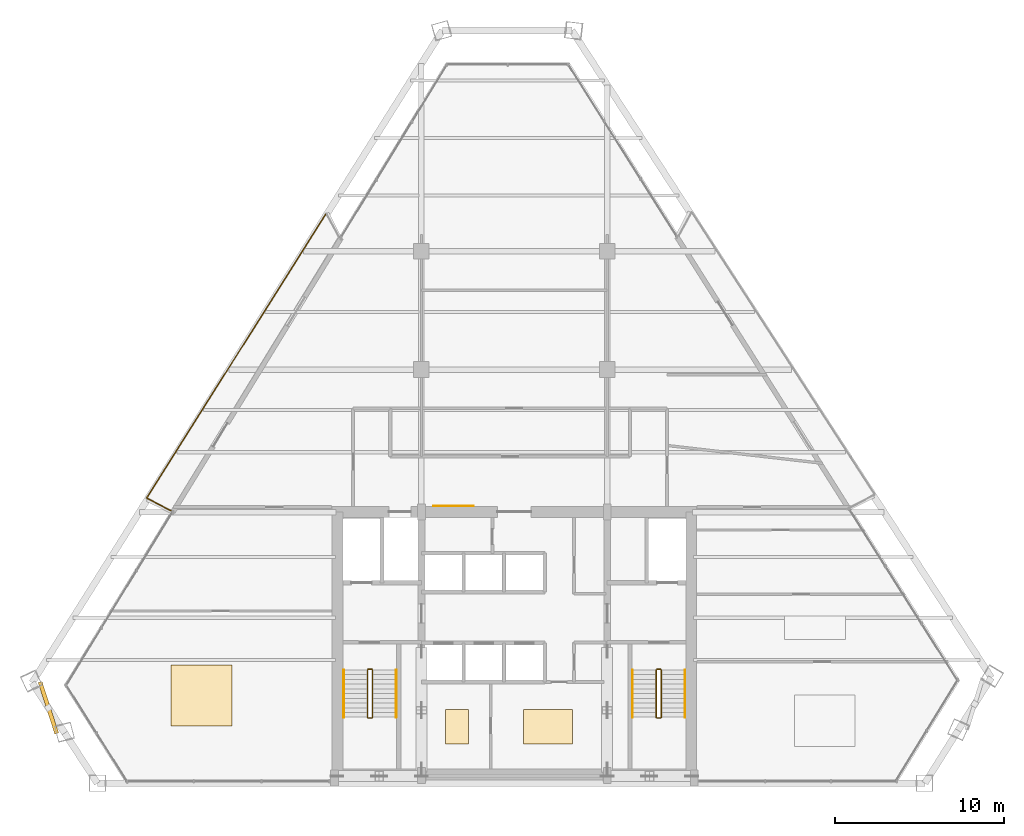
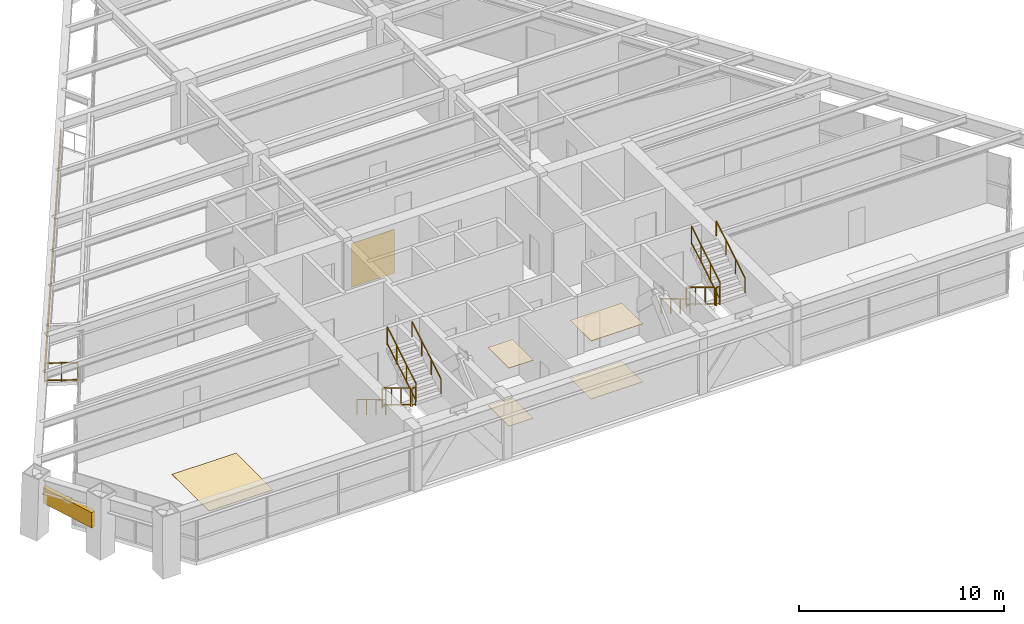
# One storey, part 14 of 15: 14 railings, 6 coverings, 1 shading device.
"""IFC4 building model written with IfcOpenShell, lengths in metres."""

import ifcopenshell
import ifcopenshell.guid

model = None  # the IFC model being written
_history = None  # IfcOwnerHistory: only IFC2X3 demands one
_inside = {}  # id of a spatial element -> (the spatial element, [elements in it])
_under = {}  # id of a project, library or spatial element -> (it, [spatial elements below it])
_declared = {}  # id of a project -> (the project, [libraries it declares])
_typed = {}  # id of a type object -> (the type object, [elements of that type])
_made_of = {}  # id of a material, layer set ... -> (it, [elements and type objects made of it])


def new_model(schema):
    """Start an empty IFC model of exactly this schema.

    Asked for "IFC4X3", IfcOpenShell would pick the latest addendum, in which some entities
    have other attributes; the version numbers below select the first issue.
    IFC2X3 requires an IfcOwnerHistory on every rooted entity: one is made here for all.
    """
    global model, _history
    if schema == "IFC4X3":
        model = ifcopenshell.file(schema_version=(4, 3, 0, 0))
    else:
        model = ifcopenshell.file(schema=schema)
    _inside.clear()
    _under.clear()
    _declared.clear()
    _typed.clear()
    _made_of.clear()
    _history = None
    if model.schema == "IFC2X3":
        org = make("IfcOrganization", Name="unknown")
        user = make(
            "IfcPersonAndOrganization",
            ThePerson=make("IfcPerson", FamilyName="unknown"),
            TheOrganization=org,
        )
        app = make(
            "IfcApplication",
            ApplicationDeveloper=org,
            Version="unknown",
            ApplicationFullName="unknown",
            ApplicationIdentifier="unknown",
        )
        _history = make(
            "IfcOwnerHistory",
            OwningUser=user,
            OwningApplication=app,
            ChangeAction="ADDED",
            CreationDate=0,
        )
    return model


def make(cls, **values):
    """One entity of the class cls with the attributes given. An attribute that is None is left unset."""
    return model.create_entity(
        cls, **{name: value for name, value in values.items() if value is not None}
    )


def rooted(cls, **values):
    """An entity with a GlobalId (a new one), such as an element, a storey or a relation."""
    return make(cls, GlobalId=ifcopenshell.guid.new(), OwnerHistory=_history, **values)


def si_unit(unit_type, name, prefix=None):
    """IfcSIUnit, for example si_unit("LENGTHUNIT", "METRE", prefix="MILLI")."""
    return make("IfcSIUnit", UnitType=unit_type, Prefix=prefix, Name=name)


def assignment(units):
    """IfcUnitAssignment: the units of a project."""
    return None if units is None else make("IfcUnitAssignment", Units=units)


def point(xyz):
    """IfcCartesianPoint."""
    return None if xyz is None else make("IfcCartesianPoint", Coordinates=xyz)


def direction(xyz):
    """IfcDirection."""
    return None if xyz is None else make("IfcDirection", DirectionRatios=xyz)


def frame(location, z_axis=None, x_axis=None):
    """IfcAxis2Placement3D, a coordinate frame: its origin and axes. An axis left out is left unset."""
    return make(
        "IfcAxis2Placement3D",
        Location=point(location),
        Axis=direction(z_axis),
        RefDirection=direction(x_axis),
    )


def frame_2d(location, x_axis=None):
    """IfcAxis2Placement2D, a coordinate frame in the plane: its origin and x axis."""
    return make(
        "IfcAxis2Placement2D", Location=point(location), RefDirection=direction(x_axis)
    )


def origin():
    """The frame at (0, 0, 0) with its axes left unset."""
    return frame((0.0, 0.0, 0.0))


def origin_2d():
    """The frame at (0, 0) in the plane with its x axis left unset."""
    return frame_2d((0.0, 0.0))


def place(relative_to, where):
    """IfcLocalPlacement: puts the frame where relative to a parent placement (None: the world)."""
    return make(
        "IfcLocalPlacement", PlacementRelTo=relative_to, RelativePlacement=where
    )


def context(
    kind, dimensions, precision=None, world=None, true_north=None, identifier=None
):
    """IfcGeometricRepresentationContext, for example the 3D "Model" context."""
    return make(
        "IfcGeometricRepresentationContext",
        ContextIdentifier=identifier,
        ContextType=kind,
        CoordinateSpaceDimension=dimensions,
        Precision=precision,
        WorldCoordinateSystem=world,
        TrueNorth=true_north,
    )


def subcontext(parent, identifier, kind, view, scale=None):
    """IfcGeometricRepresentationSubContext, for example "Body" below "Model"."""
    return make(
        "IfcGeometricRepresentationSubContext",
        ContextIdentifier=identifier,
        ContextType=kind,
        ParentContext=parent,
        TargetScale=scale,
        TargetView=view,
    )


def project(units=None, contexts=None):
    """IfcProject with its units and contexts."""
    return rooted(
        "IfcProject",
        Name="project",
        RepresentationContexts=contexts,
        UnitsInContext=assignment(units),
    )


def spatial(cls, under=None, at=None, **own):
    """A site, building, storey or space (cls), placed at a placement, below another one or the project."""
    s = rooted(cls, ObjectPlacement=at, **own)
    if under is not None:
        _under.setdefault(under.id(), (under, []))[1].append(s)
    return s


def profile(cls, at=None, kind="AREA", **sizes):
    """A parametric profile (cls). Its sizes go by their IFC names, for example OverallWidth=200.0."""
    return make(cls, ProfileType=kind, Position=at, **sizes)


def rectangle(**sizes):
    """IfcRectangleProfileDef."""
    return profile("IfcRectangleProfileDef", **sizes)


def extrude(swept, where, along, depth):
    """IfcExtrudedAreaSolid: the profile swept, set in the frame where, extruded along a direction by depth."""
    return make(
        "IfcExtrudedAreaSolid",
        SweptArea=swept,
        Position=where,
        ExtrudedDirection=direction(along),
        Depth=depth,
    )


def shape(context_of_items, identifier, shape_type, items):
    """IfcShapeRepresentation: the items that make up one representation, for example the "Body"."""
    return make(
        "IfcShapeRepresentation",
        ContextOfItems=context_of_items,
        RepresentationIdentifier=identifier,
        RepresentationType=shape_type,
        Items=items,
    )


def source(mapping_origin, context_of_items, identifier, shape_type, items):
    """IfcRepresentationMap: a shape defined once, which mapped items show again and again."""
    return make(
        "IfcRepresentationMap",
        MappingOrigin=mapping_origin,
        MappedRepresentation=shape(context_of_items, identifier, shape_type, items),
    )


def transform(
    local_origin,
    x_axis=None,
    y_axis=None,
    z_axis=None,
    scale=None,
    scale2=None,
    scale3=None,
    uniform=True,
):
    """IfcCartesianTransformationOperator3D, or its non-uniform kind. x_axis, y_axis, z_axis: its Axis1, 2, 3."""
    if uniform:
        return make(
            "IfcCartesianTransformationOperator3D",
            Axis1=direction(x_axis),
            Axis2=direction(y_axis),
            LocalOrigin=point(local_origin),
            Scale=scale,
            Axis3=direction(z_axis),
        )
    return make(
        "IfcCartesianTransformationOperator3DnonUniform",
        Axis1=direction(x_axis),
        Axis2=direction(y_axis),
        LocalOrigin=point(local_origin),
        Scale=scale,
        Axis3=direction(z_axis),
        Scale2=scale2,
        Scale3=scale3,
    )


def mapped(mapping_source, mapping_target):
    """IfcMappedItem: shows the shape of a source again, moved by a transform."""
    return make(
        "IfcMappedItem", MappingSource=mapping_source, MappingTarget=mapping_target
    )


def material(Name=None, Category=None):
    """IfcMaterial."""
    return make("IfcMaterial", Name=Name, Category=Category)


def layer(
    of_material, thickness, ventilated=None, Name=None, Category=None, Priority=None
):
    """IfcMaterialLayer: one layer of a wall or slab, of a material (None: an air gap)."""
    return make(
        "IfcMaterialLayer",
        Material=of_material,
        LayerThickness=thickness,
        IsVentilated=ventilated,
        Name=Name,
        Category=Category,
        Priority=Priority,
    )


def layer_set(layers, Name=None):
    """IfcMaterialLayerSet."""
    return make("IfcMaterialLayerSet", MaterialLayers=layers, LayerSetName=Name)


def made_of(thing, what):
    """Note that an element or type object is made of a material, layer set ...; save() writes the relation."""
    if what is not None:
        _made_of.setdefault(what.id(), (what, []))[1].append(thing)
    return thing


def type_object(cls, material=None, **own):
    """A type object (cls), such as IfcWallType, which elements share."""
    return made_of(rooted(cls, **own), material)


def type_shapes(of_type, sources):
    """Give a type object the sources (RepresentationMaps) that its elements show as mapped items."""
    of_type.RepresentationMaps = sources


def element(
    cls,
    number,
    at=None,
    inside=None,
    cuts=None,
    type_object=None,
    material=None,
    context=None,
    identifier="Body",
    shape_type=None,
    held_by="IfcProductDefinitionShape",
    body=None,
    shapes=None,
    **own,
):
    """One element of the class cls, such as IfcWall. Its Tag is "e" and its number.

    at: its placement. inside: the storey or other place that contains it. cuts: it is an
    opening in that element (IfcRelVoidsElement). A single representation is given by context,
    identifier, shape_type and body (its items); several are given by shapes. held_by: the class
    of the entity that holds the representations. save() writes the other relations.
    """
    e = rooted(cls, Tag="e%d" % number, ObjectPlacement=at, **own)
    if body is not None:
        shapes = [shape(context, identifier, shape_type, body)]
    if shapes is not None:
        e.Representation = make(held_by, Representations=shapes)
    if inside is not None:
        _inside.setdefault(inside.id(), (inside, []))[1].append(e)
    if cuts is not None:
        rooted(
            "IfcRelVoidsElement", RelatingBuildingElement=cuts, RelatedOpeningElement=e
        )
    if type_object is not None:
        _typed.setdefault(type_object.id(), (type_object, []))[1].append(e)
    return made_of(e, material)


def aggregate(whole, parts):
    """IfcRelAggregates: a whole, such as a stair, and the parts it consists of."""
    return rooted("IfcRelAggregates", RelatingObject=whole, RelatedObjects=parts)


def save(model, path):
    """Write the relations noted so far, then the file.

    IfcRelAggregates (storeys below a building ...), IfcRelContainedInSpatialStructure (elements
    in a storey), IfcRelDefinesByType, IfcRelAssociatesMaterial and IfcRelDeclares: one each for
    every whole, place, type object, material and project.
    """
    for whole, parts in _under.values():
        aggregate(whole, parts)
    for where, things in _inside.values():
        rooted(
            "IfcRelContainedInSpatialStructure",
            RelatedElements=things,
            RelatingStructure=where,
        )
    for kind, things in _typed.values():
        rooted("IfcRelDefinesByType", RelatedObjects=things, RelatingType=kind)
    for what, things in _made_of.values():
        rooted("IfcRelAssociatesMaterial", RelatedObjects=things, RelatingMaterial=what)
    for by, libraries in _declared.values():
        rooted("IfcRelDeclares", RelatingContext=by, RelatedDefinitions=libraries)
    model.write(path)


model = new_model("IFC4")

# Units and contexts
model_context = context("Model", 3, precision=1e-05, world=origin(), true_north=direction((0.0, 1.0)))
body_context = subcontext(model_context, "Body", "Model", "MODEL_VIEW")
ifc_project = project(units=[si_unit("LENGTHUNIT", "METRE"), si_unit("AREAUNIT", "SQUARE_METRE"), si_unit("VOLUMEUNIT", "CUBIC_METRE"), si_unit("PLANEANGLEUNIT", "RADIAN"), si_unit("MASSUNIT", "GRAM", prefix="KILO")], contexts=[model_context])

# Site, building, storey
site_placement = place(None, origin())
site = spatial("IfcSite", under=ifc_project, at=site_placement, CompositionType="ELEMENT")
building_placement = place(site_placement, origin())
building = spatial("IfcBuilding", under=site, at=building_placement, Name="Varnakhor Terracotta Tower", CompositionType="ELEMENT")
storey_placement = place(building_placement, frame((0.0, 0.0, 196.89990234375)))
storey = spatial("IfcBuildingStorey", under=building, at=storey_placement, Name="L50", CompositionType="ELEMENT", Elevation=196.89990234375)

# Railings
ifc_material_1 = material(Name="Stainless Steel & Laminated Glass Guardrail", Category="steel")
railing_type_1 = type_object("IfcRailingType", Name="RLG-LOGGIA-GUARD-1150", PredefinedType="GUARDRAIL", material=ifc_material_1)
railing_1_placement = place(storey_placement, frame((-20.33642578125, 16.132568359375, 0.0)))
element("IfcRailing", 1, at=railing_1_placement, inside=storey, type_object=railing_type_1, Name="L50 W Loggia Glass Guard 1", PredefinedType="GUARDRAIL", context=body_context, shape_type="SweptSolid", body=[
    extrude(rectangle(XDim=0.048095703125, YDim=0.048095703125, at=origin_2d()), frame((0.0, 0.0, 1.1259765625), z_axis=(-0.882768890801, 0.469807498273, 0.0), x_axis=(-0.469807498273, -0.882768890801, 0.0)), (0.0, 0.0, 1.0), 1.62353515625),
    extrude(rectangle(XDim=0.048095703125, YDim=0.048095703125, at=origin_2d()), frame((0.0, 0.0, 0.10009765625), z_axis=(-0.882768890801, 0.469807498273, 0.0), x_axis=(-0.469807498273, -0.882768890801, 0.0)), (0.0, 0.0, 1.0), 1.62353515625),
    extrude(rectangle(XDim=0.0419921875, YDim=0.0419921875, at=origin_2d()), origin(), (0.0, 0.0, 1.0), 1.101806640625),
    extrude(rectangle(XDim=0.0419921875, YDim=0.0419921875, at=origin_2d()), frame((-0.716552734375, 0.38134765625, 0.0)), (0.0, 0.0, 1.0), 1.101806640625),
    extrude(rectangle(XDim=0.0419921875, YDim=0.0419921875, at=origin_2d()), frame((-1.43310546875, 0.7626953125, 0.0)), (0.0, 0.0, 1.0), 1.101806640625),
])
railing_2_placement = place(storey_placement, frame((-21.76953125, 16.895263671875, 0.0)))
element("IfcRailing", 2, at=railing_2_placement, inside=storey, type_object=railing_type_1, Name="L50 W Loggia Glass Guard 2", PredefinedType="GUARDRAIL", context=body_context, shape_type="SweptSolid", body=[
    extrude(rectangle(XDim=0.048095703125, YDim=0.048095703125, at=origin_2d()), frame((0.0, 0.0, 1.1259765625), z_axis=(0.533630318447, 0.845717850843, 0.0), x_axis=(-0.845717850843, 0.533630318447, 0.0)), (0.0, 0.0, 1.0), 19.909912109375),
    extrude(rectangle(XDim=0.048095703125, YDim=0.048095703125, at=origin_2d()), frame((0.0, 0.0, 0.10009765625), z_axis=(0.533630318447, 0.845717850843, 0.0), x_axis=(-0.845717850843, 0.533630318447, 0.0)), (0.0, 0.0, 1.0), 19.909912109375),
    extrude(rectangle(XDim=0.0419921875, YDim=0.0419921875, at=origin_2d()), origin(), (0.0, 0.0, 1.0), 1.101806640625),
    extrude(rectangle(XDim=0.0419921875, YDim=0.0419921875, at=origin_2d()), frame((0.708251953125, 1.12255859375, 0.0)), (0.0, 0.0, 1.0), 1.101806640625),
    extrude(rectangle(XDim=0.0419921875, YDim=0.0419921875, at=origin_2d()), frame((1.41650390625, 2.2451171875, 0.0)), (0.0, 0.0, 1.0), 1.101806640625),
    extrude(rectangle(XDim=0.0419921875, YDim=0.0419921875, at=origin_2d()), frame((2.125, 3.36767578125, 0.0)), (0.0, 0.0, 1.0), 1.101806640625),
    extrude(rectangle(XDim=0.0419921875, YDim=0.0419921875, at=origin_2d()), frame((2.833251953125, 4.490234375, 0.0)), (0.0, 0.0, 1.0), 1.101806640625),
    extrude(rectangle(XDim=0.0419921875, YDim=0.0419921875, at=origin_2d()), frame((3.54150390625, 5.61279296875, 0.0)), (0.0, 0.0, 1.0), 1.101806640625),
    extrude(rectangle(XDim=0.0419921875, YDim=0.0419921875, at=origin_2d()), frame((4.249755859375, 6.7353515625, 0.0)), (0.0, 0.0, 1.0), 1.101806640625),
    extrude(rectangle(XDim=0.0419921875, YDim=0.0419921875, at=origin_2d()), frame((4.9580078125, 7.85791015625, 0.0)), (0.0, 0.0, 1.0), 1.101806640625),
    extrude(rectangle(XDim=0.0419921875, YDim=0.0419921875, at=origin_2d()), frame((5.66650390625, 8.980224609375, 0.0)), (0.0, 0.0, 1.0), 1.101806640625),
    extrude(rectangle(XDim=0.0419921875, YDim=0.0419921875, at=origin_2d()), frame((6.374755859375, 10.102783203125, 0.0)), (0.0, 0.0, 1.0), 1.101806640625),
    extrude(rectangle(XDim=0.0419921875, YDim=0.0419921875, at=origin_2d()), frame((7.0830078125, 11.225341796875, 0.0)), (0.0, 0.0, 1.0), 1.101806640625),
    extrude(rectangle(XDim=0.0419921875, YDim=0.0419921875, at=origin_2d()), frame((7.791259765625, 12.347900390625, 0.0)), (0.0, 0.0, 1.0), 1.101806640625),
    extrude(rectangle(XDim=0.0419921875, YDim=0.0419921875, at=origin_2d()), frame((8.49951171875, 13.470458984375, 0.0)), (0.0, 0.0, 1.0), 1.101806640625),
    extrude(rectangle(XDim=0.0419921875, YDim=0.0419921875, at=origin_2d()), frame((9.2080078125, 14.593017578125, 0.0)), (0.0, 0.0, 1.0), 1.101806640625),
    extrude(rectangle(XDim=0.0419921875, YDim=0.0419921875, at=origin_2d()), frame((9.916259765625, 15.715576171875, 0.0)), (0.0, 0.0, 1.0), 1.101806640625),
    extrude(rectangle(XDim=0.0419921875, YDim=0.0419921875, at=origin_2d()), frame((10.62451171875, 16.838134765625, 0.0)), (0.0, 0.0, 1.0), 1.101806640625),
])
ifc_material_2 = material(Name="Painted Steel Stairwell Guardrail", Category="steel")
railing_type_2 = type_object("IfcRailingType", Name="RLG-STAIR-GUARD-1120", PredefinedType="GUARDRAIL", material=ifc_material_2)
railing_3_placement = place(storey_placement, frame((-8.699951171875, 6.7099609375, 0.168212890625)))
element("IfcRailing", 3, at=railing_3_placement, inside=storey, type_object=railing_type_2, Name="L50 ST-1 stair guard 1", PredefinedType="GUARDRAIL", context=body_context, shape_type="SweptSolid", body=[
    extrude(rectangle(XDim=0.048095703125, YDim=0.048095703125, at=origin_2d()), frame((0.0, 0.0, 1.09619140625), z_axis=(0.0, -0.857242210791, 0.514913383045), x_axis=(1.0, 0.0, 0.0)), (0.0, 0.0, 1.0), 3.266357421875),
    extrude(rectangle(XDim=0.048095703125, YDim=0.048095703125, at=origin_2d()), frame((0.0, 0.0, 0.10009765625), z_axis=(0.0, -0.857242210791, 0.514913383045), x_axis=(1.0, 0.0, 0.0)), (0.0, 0.0, 1.0), 3.266357421875),
    extrude(rectangle(XDim=0.0419921875, YDim=0.0419921875, at=origin_2d()), origin(), (0.0, 0.0, 1.0), 1.072021484375),
    extrude(rectangle(XDim=0.0419921875, YDim=0.0419921875, at=origin_2d()), frame((0.0, -0.933349609375, 0.560546875)), (0.0, 0.0, 1.0), 1.072021484375),
    extrude(rectangle(XDim=0.0419921875, YDim=0.0419921875, at=origin_2d()), frame((0.0, -1.86669921875, 1.121337890625)), (0.0, 0.0, 1.0), 1.072021484375),
    extrude(rectangle(XDim=0.0419921875, YDim=0.0419921875, at=origin_2d()), frame((0.0, -2.800048828125, 1.681884765625)), (0.0, 0.0, 1.0), 1.072021484375),
])
railing_4_placement = place(storey_placement, frame((-8.64990234375, 3.860107421875, 1.85009765625)))
element("IfcRailing", 4, at=railing_4_placement, inside=storey, type_object=railing_type_2, Name="L50 ST-1 stair guard 2", PredefinedType="GUARDRAIL", context=body_context, shape_type="SweptSolid", body=[
    extrude(rectangle(XDim=0.048095703125, YDim=0.048095703125, at=origin_2d()), frame((0.0, 0.0, 1.09619140625), z_axis=(1.0, 0.0, 0.0), x_axis=(0.0, 1.0, 0.0)), (0.0, 0.0, 1.0), 0.199951171875),
    extrude(rectangle(XDim=0.048095703125, YDim=0.048095703125, at=origin_2d()), frame((0.0, 0.0, 0.10009765625), z_axis=(1.0, 0.0, 0.0), x_axis=(0.0, 1.0, 0.0)), (0.0, 0.0, 1.0), 0.199951171875),
    extrude(rectangle(XDim=0.0419921875, YDim=0.0419921875, at=origin_2d()), origin(), (0.0, 0.0, 1.0), 1.072021484375),
    extrude(rectangle(XDim=0.0419921875, YDim=0.0419921875, at=origin_2d()), frame((0.199951171875, 0.0, 0.0)), (0.0, 0.0, 1.0), 1.072021484375),
])
railing_5_placement = place(storey_placement, frame((-8.39990234375, 3.909912109375, 2.018310546875)))
element("IfcRailing", 5, at=railing_5_placement, inside=storey, type_object=railing_type_2, Name="L50 ST-1 stair guard 3", PredefinedType="GUARDRAIL", context=body_context, shape_type="SweptSolid", body=[
    extrude(rectangle(XDim=0.048095703125, YDim=0.048095703125, at=origin_2d()), frame((0.0, 0.0, 1.09619140625), z_axis=(0.0, 0.857242210791, 0.514913383045), x_axis=(-1.0, 0.0, 0.0)), (0.0, 0.0, 1.0), 3.266357421875),
    extrude(rectangle(XDim=0.048095703125, YDim=0.048095703125, at=origin_2d()), frame((0.0, 0.0, 0.10009765625), z_axis=(0.0, 0.857242210791, 0.514913383045), x_axis=(-1.0, 0.0, 0.0)), (0.0, 0.0, 1.0), 3.266357421875),
    extrude(rectangle(XDim=0.0419921875, YDim=0.0419921875, at=origin_2d()), origin(), (0.0, 0.0, 1.0), 1.072021484375),
    extrude(rectangle(XDim=0.0419921875, YDim=0.0419921875, at=origin_2d()), frame((0.0, 0.933349609375, 0.560546875)), (0.0, 0.0, 1.0), 1.072021484375),
    extrude(rectangle(XDim=0.0419921875, YDim=0.0419921875, at=origin_2d()), frame((0.0, 1.86669921875, 1.121337890625)), (0.0, 0.0, 1.0), 1.072021484375),
    extrude(rectangle(XDim=0.0419921875, YDim=0.0419921875, at=origin_2d()), frame((0.0, 2.800048828125, 1.681884765625)), (0.0, 0.0, 1.0), 1.072021484375),
])
railing_6_placement = place(storey_placement, frame((-8.64990234375, 6.760009765625, 0.0)))
element("IfcRailing", 6, at=railing_6_placement, inside=storey, type_object=railing_type_2, Name="L50 ST-1 stair guard 4", PredefinedType="GUARDRAIL", context=body_context, shape_type="SweptSolid", body=[
    extrude(rectangle(XDim=0.048095703125, YDim=0.048095703125, at=origin_2d()), frame((0.0, 0.0, 1.09619140625), z_axis=(1.0, 0.0, 0.0), x_axis=(0.0, 1.0, 0.0)), (0.0, 0.0, 1.0), 0.199951171875),
    extrude(rectangle(XDim=0.048095703125, YDim=0.048095703125, at=origin_2d()), frame((0.0, 0.0, 0.10009765625), z_axis=(1.0, 0.0, 0.0), x_axis=(0.0, 1.0, 0.0)), (0.0, 0.0, 1.0), 0.199951171875),
    extrude(rectangle(XDim=0.0419921875, YDim=0.0419921875, at=origin_2d()), origin(), (0.0, 0.0, 1.0), 1.072021484375),
    extrude(rectangle(XDim=0.0419921875, YDim=0.0419921875, at=origin_2d()), frame((0.199951171875, 0.0, 0.0)), (0.0, 0.0, 1.0), 1.072021484375),
])
railing_7_placement = place(storey_placement, frame((8.39990234375, 6.7099609375, 0.168212890625)))
element("IfcRailing", 7, at=railing_7_placement, inside=storey, type_object=railing_type_2, Name="L50 ST-2 stair guard 1", PredefinedType="GUARDRAIL", context=body_context, shape_type="SweptSolid", body=[
    extrude(rectangle(XDim=0.048095703125, YDim=0.048095703125, at=origin_2d()), frame((0.0, 0.0, 1.09619140625), z_axis=(0.0, -0.857242210791, 0.514913383045), x_axis=(1.0, 0.0, 0.0)), (0.0, 0.0, 1.0), 3.266357421875),
    extrude(rectangle(XDim=0.048095703125, YDim=0.048095703125, at=origin_2d()), frame((0.0, 0.0, 0.10009765625), z_axis=(0.0, -0.857242210791, 0.514913383045), x_axis=(1.0, 0.0, 0.0)), (0.0, 0.0, 1.0), 3.266357421875),
    extrude(rectangle(XDim=0.0419921875, YDim=0.0419921875, at=origin_2d()), origin(), (0.0, 0.0, 1.0), 1.072021484375),
    extrude(rectangle(XDim=0.0419921875, YDim=0.0419921875, at=origin_2d()), frame((0.0, -0.933349609375, 0.560546875)), (0.0, 0.0, 1.0), 1.072021484375),
    extrude(rectangle(XDim=0.0419921875, YDim=0.0419921875, at=origin_2d()), frame((0.0, -1.86669921875, 1.121337890625)), (0.0, 0.0, 1.0), 1.072021484375),
    extrude(rectangle(XDim=0.0419921875, YDim=0.0419921875, at=origin_2d()), frame((0.0, -2.800048828125, 1.681884765625)), (0.0, 0.0, 1.0), 1.072021484375),
])
railing_8_placement = place(storey_placement, frame((8.449951171875, 3.860107421875, 1.85009765625)))
element("IfcRailing", 8, at=railing_8_placement, inside=storey, type_object=railing_type_2, Name="L50 ST-2 stair guard 2", PredefinedType="GUARDRAIL", context=body_context, shape_type="SweptSolid", body=[
    extrude(rectangle(XDim=0.048095703125, YDim=0.048095703125, at=origin_2d()), frame((0.0, 0.0, 1.09619140625), z_axis=(1.0, 0.0, 0.0), x_axis=(0.0, 1.0, 0.0)), (0.0, 0.0, 1.0), 0.199951171875),
    extrude(rectangle(XDim=0.048095703125, YDim=0.048095703125, at=origin_2d()), frame((0.0, 0.0, 0.10009765625), z_axis=(1.0, 0.0, 0.0), x_axis=(0.0, 1.0, 0.0)), (0.0, 0.0, 1.0), 0.199951171875),
    extrude(rectangle(XDim=0.0419921875, YDim=0.0419921875, at=origin_2d()), origin(), (0.0, 0.0, 1.0), 1.072021484375),
    extrude(rectangle(XDim=0.0419921875, YDim=0.0419921875, at=origin_2d()), frame((0.199951171875, 0.0, 0.0)), (0.0, 0.0, 1.0), 1.072021484375),
])
railing_9_placement = place(storey_placement, frame((8.699951171875, 3.909912109375, 2.018310546875)))
element("IfcRailing", 9, at=railing_9_placement, inside=storey, type_object=railing_type_2, Name="L50 ST-2 stair guard 3", PredefinedType="GUARDRAIL", context=body_context, shape_type="SweptSolid", body=[
    extrude(rectangle(XDim=0.048095703125, YDim=0.048095703125, at=origin_2d()), frame((0.0, 0.0, 1.09619140625), z_axis=(0.0, 0.857242210791, 0.514913383045), x_axis=(-1.0, 0.0, 0.0)), (0.0, 0.0, 1.0), 3.266357421875),
    extrude(rectangle(XDim=0.048095703125, YDim=0.048095703125, at=origin_2d()), frame((0.0, 0.0, 0.10009765625), z_axis=(0.0, 0.857242210791, 0.514913383045), x_axis=(-1.0, 0.0, 0.0)), (0.0, 0.0, 1.0), 3.266357421875),
    extrude(rectangle(XDim=0.0419921875, YDim=0.0419921875, at=origin_2d()), origin(), (0.0, 0.0, 1.0), 1.072021484375),
    extrude(rectangle(XDim=0.0419921875, YDim=0.0419921875, at=origin_2d()), frame((0.0, 0.933349609375, 0.560546875)), (0.0, 0.0, 1.0), 1.072021484375),
    extrude(rectangle(XDim=0.0419921875, YDim=0.0419921875, at=origin_2d()), frame((0.0, 1.86669921875, 1.121337890625)), (0.0, 0.0, 1.0), 1.072021484375),
    extrude(rectangle(XDim=0.0419921875, YDim=0.0419921875, at=origin_2d()), frame((0.0, 2.800048828125, 1.681884765625)), (0.0, 0.0, 1.0), 1.072021484375),
])
railing_10_placement = place(storey_placement, frame((8.449951171875, 6.760009765625, 0.0)))
element("IfcRailing", 10, at=railing_10_placement, inside=storey, type_object=railing_type_2, Name="L50 ST-2 stair guard 4", PredefinedType="GUARDRAIL", context=body_context, shape_type="SweptSolid", body=[
    extrude(rectangle(XDim=0.048095703125, YDim=0.048095703125, at=origin_2d()), frame((0.0, 0.0, 1.09619140625), z_axis=(1.0, 0.0, 0.0), x_axis=(0.0, 1.0, 0.0)), (0.0, 0.0, 1.0), 0.199951171875),
    extrude(rectangle(XDim=0.048095703125, YDim=0.048095703125, at=origin_2d()), frame((0.0, 0.0, 0.10009765625), z_axis=(1.0, 0.0, 0.0), x_axis=(0.0, 1.0, 0.0)), (0.0, 0.0, 1.0), 0.199951171875),
    extrude(rectangle(XDim=0.0419921875, YDim=0.0419921875, at=origin_2d()), origin(), (0.0, 0.0, 1.0), 1.072021484375),
    extrude(rectangle(XDim=0.0419921875, YDim=0.0419921875, at=origin_2d()), frame((0.199951171875, 0.0, 0.0)), (0.0, 0.0, 1.0), 1.072021484375),
])
ifc_material_3 = material(Name="Brushed Stainless Steel Handrail", Category="steel")
railing_type_3 = type_object("IfcRailingType", Name="RLG-STAIR-HANDRAIL-920", PredefinedType="HANDRAIL", material=ifc_material_3)
railing_11_placement = place(storey_placement, frame((-10.10009765625, 6.7099609375, 0.168212890625)))
element("IfcRailing", 11, at=railing_11_placement, inside=storey, type_object=railing_type_3, Name="L50 ST-1 stair handrail 1", PredefinedType="HANDRAIL", context=body_context, shape_type="SweptSolid", body=[
    extrude(rectangle(XDim=0.048095703125, YDim=0.048095703125, at=origin_2d()), frame((0.0, 0.0, 0.89599609375), z_axis=(0.0, -0.857242210791, 0.514913383045), x_axis=(1.0, 0.0, 0.0)), (0.0, 0.0, 1.0), 3.266357421875),
    extrude(rectangle(XDim=0.0419921875, YDim=0.0419921875, at=origin_2d()), origin(), (0.0, 0.0, 1.0), 0.871826171875),
    extrude(rectangle(XDim=0.0419921875, YDim=0.0419921875, at=origin_2d()), frame((0.0, -0.933349609375, 0.560546875)), (0.0, 0.0, 1.0), 0.871826171875),
    extrude(rectangle(XDim=0.0419921875, YDim=0.0419921875, at=origin_2d()), frame((0.0, -1.86669921875, 1.121337890625)), (0.0, 0.0, 1.0), 0.871826171875),
    extrude(rectangle(XDim=0.0419921875, YDim=0.0419921875, at=origin_2d()), frame((0.0, -2.800048828125, 1.681884765625)), (0.0, 0.0, 1.0), 0.871826171875),
])
railing_12_placement = place(storey_placement, frame((-7.0, 3.909912109375, 2.018310546875)))
element("IfcRailing", 12, at=railing_12_placement, inside=storey, type_object=railing_type_3, Name="L50 ST-1 stair handrail 2", PredefinedType="HANDRAIL", context=body_context, shape_type="SweptSolid", body=[
    extrude(rectangle(XDim=0.048095703125, YDim=0.048095703125, at=origin_2d()), frame((0.0, 0.0, 0.89599609375), z_axis=(0.0, 0.857242210791, 0.514913383045), x_axis=(-1.0, 0.0, 0.0)), (0.0, 0.0, 1.0), 3.266357421875),
    extrude(rectangle(XDim=0.0419921875, YDim=0.0419921875, at=origin_2d()), origin(), (0.0, 0.0, 1.0), 0.871826171875),
    extrude(rectangle(XDim=0.0419921875, YDim=0.0419921875, at=origin_2d()), frame((0.0, 0.933349609375, 0.560546875)), (0.0, 0.0, 1.0), 0.871826171875),
    extrude(rectangle(XDim=0.0419921875, YDim=0.0419921875, at=origin_2d()), frame((0.0, 1.86669921875, 1.121337890625)), (0.0, 0.0, 1.0), 0.871826171875),
    extrude(rectangle(XDim=0.0419921875, YDim=0.0419921875, at=origin_2d()), frame((0.0, 2.800048828125, 1.681884765625)), (0.0, 0.0, 1.0), 0.871826171875),
])
railing_13_placement = place(storey_placement, frame((7.0, 6.7099609375, 0.168212890625)))
element("IfcRailing", 13, at=railing_13_placement, inside=storey, type_object=railing_type_3, Name="L50 ST-2 stair handrail 1", PredefinedType="HANDRAIL", context=body_context, shape_type="SweptSolid", body=[
    extrude(rectangle(XDim=0.048095703125, YDim=0.048095703125, at=origin_2d()), frame((0.0, 0.0, 0.89599609375), z_axis=(0.0, -0.857242210791, 0.514913383045), x_axis=(1.0, 0.0, 0.0)), (0.0, 0.0, 1.0), 3.266357421875),
    extrude(rectangle(XDim=0.0419921875, YDim=0.0419921875, at=origin_2d()), origin(), (0.0, 0.0, 1.0), 0.871826171875),
    extrude(rectangle(XDim=0.0419921875, YDim=0.0419921875, at=origin_2d()), frame((0.0, -0.933349609375, 0.560546875)), (0.0, 0.0, 1.0), 0.871826171875),
    extrude(rectangle(XDim=0.0419921875, YDim=0.0419921875, at=origin_2d()), frame((0.0, -1.86669921875, 1.121337890625)), (0.0, 0.0, 1.0), 0.871826171875),
    extrude(rectangle(XDim=0.0419921875, YDim=0.0419921875, at=origin_2d()), frame((0.0, -2.800048828125, 1.681884765625)), (0.0, 0.0, 1.0), 0.871826171875),
])
railing_14_placement = place(storey_placement, frame((10.10009765625, 3.909912109375, 2.018310546875)))
element("IfcRailing", 14, at=railing_14_placement, inside=storey, type_object=railing_type_3, Name="L50 ST-2 stair handrail 2", PredefinedType="HANDRAIL", context=body_context, shape_type="SweptSolid", body=[
    extrude(rectangle(XDim=0.048095703125, YDim=0.048095703125, at=origin_2d()), frame((0.0, 0.0, 0.89599609375), z_axis=(0.0, 0.857242210791, 0.514913383045), x_axis=(-1.0, 0.0, 0.0)), (0.0, 0.0, 1.0), 3.266357421875),
    extrude(rectangle(XDim=0.0419921875, YDim=0.0419921875, at=origin_2d()), origin(), (0.0, 0.0, 1.0), 0.871826171875),
    extrude(rectangle(XDim=0.0419921875, YDim=0.0419921875, at=origin_2d()), frame((0.0, 0.933349609375, 0.560546875)), (0.0, 0.0, 1.0), 0.871826171875),
    extrude(rectangle(XDim=0.0419921875, YDim=0.0419921875, at=origin_2d()), frame((0.0, 1.86669921875, 1.121337890625)), (0.0, 0.0, 1.0), 0.871826171875),
    extrude(rectangle(XDim=0.0419921875, YDim=0.0419921875, at=origin_2d()), frame((0.0, 2.800048828125, 1.681884765625)), (0.0, 0.0, 1.0), 0.871826171875),
])

# Shading device
ifc_material_4 = material(Name="Extruded Architectural Terracotta Screen", Category="masonry")
shading_device_type = type_object("IfcShadingDeviceType", Name="TERRACOTTA SOLAR SCREEN W", PredefinedType="USERDEFINED", material=ifc_material_4)
shared_shape_1 = source(origin(), body_context, "Body", "SweptSolid", [
    extrude(rectangle(XDim=3.199951171875, YDim=0.239990234375, at=origin_2d()), origin(), (0.0, 0.0, 1.0), 0.919921875),
])
type_shapes(shading_device_type, [shared_shape_1])
shading_device_placement = place(storey_placement, frame((-27.589599609375, 4.466064453125, 1.710205078125), z_axis=(0.0, 0.0, 1.0), x_axis=(0.308087299139, -0.951358090368, 0.0)))
element("IfcShadingDevice", 15, at=shading_device_placement, inside=storey, type_object=shading_device_type, Name="L50 W Terracotta Solar Screen", ObjectType="SCREEN", PredefinedType="USERDEFINED", context=body_context, shape_type="MappedRepresentation", body=[
    mapped(shared_shape_1, transform((0.0, 0.0, 0.0), scale=1.0)),
])

# Coverings
ifc_material_5 = material(Name="Extruded Architectural Terracotta Cladding", Category="masonry")
ifc_layer_1 = layer(ifc_material_5, 0.044921875, Name="Extruded Architectural Terracotta Cladding")
ifc_layer_set_1 = layer_set([ifc_layer_1], Name="Extruded Architectural Terracotta Cladding")
covering_type_1 = type_object("IfcCoveringType", Name="COV-CLAD-TERRACOTTA", PredefinedType="CLADDING", material=ifc_layer_set_1)
shared_shape_2 = source(origin(), body_context, "Body", "SweptSolid", [
    extrude(rectangle(XDim=2.39990234375, YDim=0.030029296875, at=origin_2d()), origin(), (0.0, 0.0, 1.0), 2.60009765625),
])
type_shapes(covering_type_1, [shared_shape_2])
covering_1_placement = place(storey_placement, frame((-3.60009765625, 16.412109375, 0.0), z_axis=(0.0, 0.0, 1.0), x_axis=(1.0, 0.0, 0.0)))
element("IfcCovering", 16, at=covering_1_placement, inside=storey, type_object=covering_type_1, Name="L50 Core Lobby Limestone Cladding", PredefinedType="CLADDING", context=body_context, shape_type="MappedRepresentation", body=[
    mapped(shared_shape_2, transform((0.0, 0.0, 0.0), scale=1.0)),
])
ifc_material_6 = material(Name="Honed Riyadh Limestone Flooring", Category="masonry")
ifc_layer_2 = layer(ifc_material_6, 0.030029296875, Name="Honed Riyadh Limestone Flooring")
ifc_layer_set_2 = layer_set([ifc_layer_2], Name="Honed Riyadh Limestone Flooring")
covering_type_2 = type_object("IfcCoveringType", Name="COV-FLOOR-LIMESTONE", PredefinedType="FLOORING", material=ifc_layer_set_2)
shared_shape_3 = source(origin(), body_context, "Body", "SweptSolid", [
    extrude(rectangle(XDim=3.60009765625, YDim=3.60009765625, at=origin_2d()), origin(), (0.0, 0.0, 1.0), 0.02001953125),
])
covering_2_placement = place(storey_placement, frame((-18.52294921875, 5.201904296875, 0.0), z_axis=(0.0, 0.0, 1.0), x_axis=(1.0, 0.0, 0.0)))
element("IfcCovering", 17, at=covering_2_placement, inside=storey, type_object=covering_type_2, Name="L50 Honed Stone Flooring 4", PredefinedType="FLOORING", context=body_context, shape_type="MappedRepresentation", body=[
    mapped(shared_shape_3, transform((0.0, 0.0, 0.0), scale=1.0)),
])
shared_shape_4 = source(origin(), body_context, "Body", "SweptSolid", [
    extrude(rectangle(XDim=1.375, YDim=2.041015625, at=origin_2d()), origin(), (0.0, 0.0, 1.0), 0.02001953125),
])
covering_3_placement = place(storey_placement, frame((-3.389892578125, 3.35498046875, 0.0), z_axis=(0.0, 0.0, 1.0), x_axis=(1.0, 0.0, 0.0)))
element("IfcCovering", 18, at=covering_3_placement, inside=storey, type_object=covering_type_2, Name="L50 Honed Stone Flooring 1", PredefinedType="FLOORING", context=body_context, shape_type="MappedRepresentation", body=[
    mapped(shared_shape_4, transform((0.0, 0.0, 0.0), scale=1.0)),
])
ifc_material_7 = material(Name="Perforated Acoustic Mineral-Fibre Ceiling", Category="gypsum")
ifc_layer_3 = layer(ifc_material_7, 0.02490234375, Name="Perforated Acoustic Mineral-Fibre Ceiling")
ifc_layer_set_3 = layer_set([ifc_layer_3], Name="Perforated Acoustic Mineral-Fibre Ceiling")
covering_type_3 = type_object("IfcCoveringType", Name="COV-CEILING-ACOUSTIC", PredefinedType="CEILING", material=ifc_layer_set_3)
shared_shape_5 = source(origin(), body_context, "Body", "SweptSolid", [
    extrude(rectangle(XDim=1.375, YDim=2.041015625, at=origin_2d()), origin(), (0.0, 0.0, 1.0), 0.02392578125),
])
covering_4_placement = place(storey_placement, frame((-3.389892578125, 3.35498046875, 3.446044921875), z_axis=(0.0, 0.0, 1.0), x_axis=(1.0, 0.0, 0.0)))
element("IfcCovering", 19, at=covering_4_placement, inside=storey, type_object=covering_type_3, Name="L50 Acoustic Ceiling Panel 1", PredefinedType="CEILING", context=body_context, shape_type="MappedRepresentation", body=[
    mapped(shared_shape_5, transform((0.0, 0.0, 0.0), scale=1.0)),
])
shared_shape_6 = source(origin(), body_context, "Body", "SweptSolid", [
    extrude(rectangle(XDim=2.9150390625, YDim=2.041015625, at=origin_2d()), origin(), (0.0, 0.0, 1.0), 0.02001953125),
])
covering_5_placement = place(storey_placement, frame((1.989990234375, 3.35498046875, 0.0), z_axis=(0.0, 0.0, 1.0), x_axis=(1.0, 0.0, 0.0)))
element("IfcCovering", 20, at=covering_5_placement, inside=storey, type_object=covering_type_2, Name="L50 Honed Stone Flooring 2", PredefinedType="FLOORING", context=body_context, shape_type="MappedRepresentation", body=[
    mapped(shared_shape_6, transform((0.0, 0.0, 0.0), scale=1.0)),
])
shared_shape_7 = source(origin(), body_context, "Body", "SweptSolid", [
    extrude(rectangle(XDim=2.9150390625, YDim=2.041015625, at=origin_2d()), origin(), (0.0, 0.0, 1.0), 0.02392578125),
])
covering_6_placement = place(storey_placement, frame((1.989990234375, 3.35498046875, 3.446044921875), z_axis=(0.0, 0.0, 1.0), x_axis=(1.0, 0.0, 0.0)))
element("IfcCovering", 21, at=covering_6_placement, inside=storey, type_object=covering_type_3, Name="L50 Acoustic Ceiling Panel 2", PredefinedType="CEILING", context=body_context, shape_type="MappedRepresentation", body=[
    mapped(shared_shape_7, transform((0.0, 0.0, 0.0), scale=1.0)),
])

save(model, "model.ifc")
